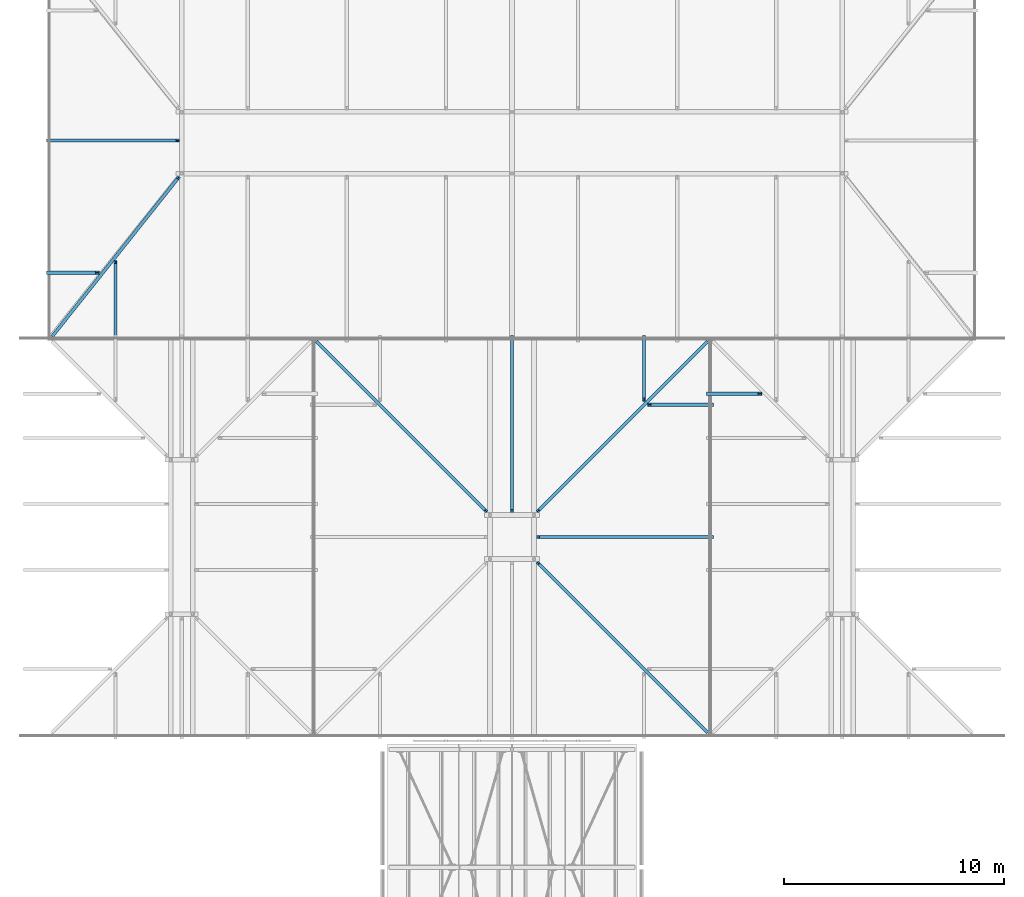
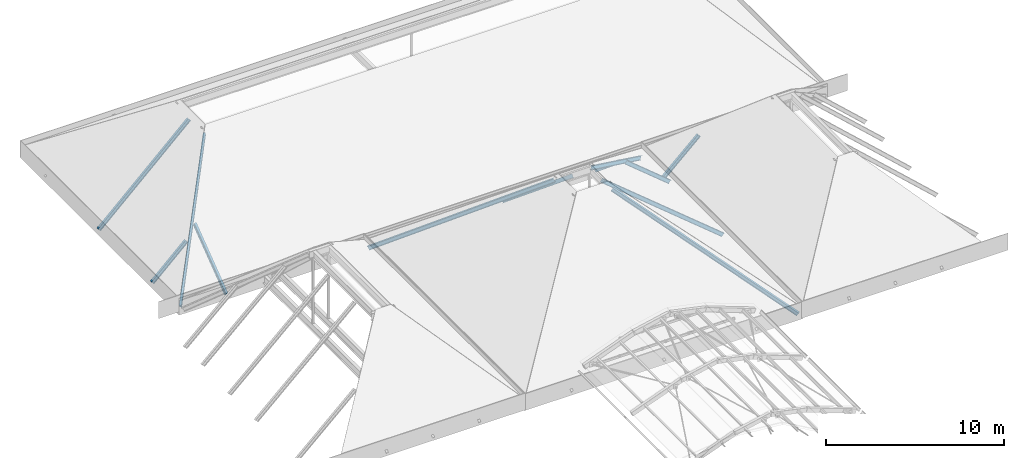
# One storey, part 25 of 57: 12 members.
"""IFC4 building model written with IfcOpenShell, lengths in metres."""

from ifc_helpers import new_model, si_unit, direction, frame, origin, origin_2d, place, context, subcontext, project, spatial, i_section, extrude, material, material_profile, profile_set, type_object, element, save


model = new_model("IFC4")

# Units and contexts
model_context = context("Model", 3, precision=1e-05, world=origin(), true_north=direction((0.0, 1.0)))
body_context = subcontext(model_context, "Body", "Model", "MODEL_VIEW")
ifc_project = project(units=[si_unit("LENGTHUNIT", "METRE"), si_unit("AREAUNIT", "SQUARE_METRE"), si_unit("VOLUMEUNIT", "CUBIC_METRE"), si_unit("PLANEANGLEUNIT", "RADIAN"), si_unit("MASSUNIT", "GRAM", prefix="KILO")], contexts=[model_context])

# Site, building, storey
site_placement = place(None, origin())
site = spatial("IfcSite", under=ifc_project, at=site_placement, CompositionType="ELEMENT")
building_placement = place(site_placement, origin())
building = spatial("IfcBuilding", under=site, at=building_placement, Name="Saffron Lane Theatres", CompositionType="ELEMENT")
storey_placement = place(building_placement, frame((0.0, 0.0, 28.0)))
storey = spatial("IfcBuildingStorey", under=building, at=storey_placement, Name="Upper Roof", CompositionType="ELEMENT", Elevation=28.0)

# Members
ifc_material_1 = material(Name="Steel Grade 350", Category="steel")
ifc_material_profile_1 = material_profile(ifc_material_1, i_section(OverallWidth=0.14599609375, OverallDepth=0.251953125, WebThickness=0.006103515625, FlangeThickness=0.008544921875, FilletRadius=0.011962890625, at=origin_2d()))
ifc_profile_set_1 = profile_set([ifc_material_profile_1], Name="Steel Grade 350")
member_type_1 = type_object("IfcMemberType", Name="ST-HIP RAFTER 250UB31.4", PredefinedType="RAFTER", material=ifc_profile_set_1)
for number, where, z_axis, x_axis, name in (
    (1, (24.1611328125, 107.8388671875, 0.10888671875), (0.60321651649, -0.60321651649, 0.521785078809), (0.707106781187, 0.707106781187, 0.0), "BK2-H2"),
    (2, (41.8388671875, 90.1611328125, 0.10888671875), (-0.60321651649, 0.60321651649, 0.521785078809), (-0.707106781187, -0.707106781187, 0.0), "BK2-H3"),
    (3, (41.8388671875, 107.8388671875, 0.10888671875), (-0.60321651649, -0.60321651649, 0.521785078809), (0.707106781187, -0.707106781187, 0.0), "BK2-H4"),
):
    element("IfcMember", number, at=place(storey_placement, frame(where, z_axis=z_axis, x_axis=x_axis)), inside=storey, type_object=member_type_1, Name=name, PredefinedType="RAFTER", context=body_context, shape_type="SweptSolid", body=[
        extrude(i_section(OverallWidth=0.14599609375, OverallDepth=0.251953125, WebThickness=0.006103515625, FlangeThickness=0.008544921875, FilletRadius=0.011962890625, at=origin_2d()), origin(), (0.0, 0.0, 1.0), 12.678955078125),
    ])
member_1_placement = place(storey_placement, frame((12.1630859375, 108.1630859375, 0.111083984375), z_axis=(0.532711175397, 0.66961694115, 0.517524835861), x_axis=(-0.782566130455, 0.6225674674, 0.0)))
element("IfcMember", 4, at=member_1_placement, inside=storey, type_object=member_type_1, Name="BK4-H1", PredefinedType="RAFTER", context=body_context, shape_type="SweptSolid", body=[
    extrude(i_section(OverallWidth=0.14599609375, OverallDepth=0.251953125, WebThickness=0.006103515625, FlangeThickness=0.008544921875, FilletRadius=0.011962890625, at=origin_2d()), origin(), (0.0, 0.0, 1.0), 10.6748046875),
])
ifc_material_2 = material(Name="Steel Grade 350", Category="steel")
ifc_material_profile_2 = material_profile(ifc_material_2, i_section(OverallWidth=0.14599609375, OverallDepth=0.251953125, WebThickness=0.006103515625, FlangeThickness=0.008544921875, FilletRadius=0.011962890625, at=origin_2d()))
ifc_profile_set_2 = profile_set([ifc_material_profile_2], Name="Steel Grade 350")
member_type_2 = type_object("IfcMemberType", Name="ST-JACK RAFTER 250UB31.4", PredefinedType="RAFTER", material=ifc_profile_set_2)
member_2_placement = place(storey_placement, frame((33.0, 108.080078125, 0.09716796875), z_axis=(0.0, -0.771407475001, 0.636341502271), x_axis=(1.0, 0.0, 0.0)))
element("IfcMember", 5, at=member_2_placement, inside=storey, type_object=member_type_2, Name="BK2-K4", PredefinedType="RAFTER", context=body_context, shape_type="SweptSolid", body=[
    extrude(i_section(OverallWidth=0.14599609375, OverallDepth=0.251953125, WebThickness=0.006103515625, FlangeThickness=0.008544921875, FilletRadius=0.011962890625, at=origin_2d()), origin(), (0.0, 0.0, 1.0), 10.250732421875),
])
member_3_placement = place(storey_placement, frame((39.0, 108.080078125, 0.09716796875), z_axis=(0.0, -0.771369210448, 0.636387885784), x_axis=(1.0, 0.0, 0.0)))
element("IfcMember", 6, at=member_3_placement, inside=storey, type_object=member_type_2, Name="BK2-K6", PredefinedType="RAFTER", context=body_context, shape_type="SweptSolid", body=[
    extrude(i_section(OverallWidth=0.14599609375, OverallDepth=0.251953125, WebThickness=0.006103515625, FlangeThickness=0.008544921875, FilletRadius=0.011962890625, at=origin_2d()), origin(), (0.0, 0.0, 1.0), 3.6826171875),
])
member_4_placement = place(storey_placement, frame((42.080078125, 99.0, 0.09716796875), z_axis=(-0.771407475001, 0.0, 0.636341502271), x_axis=(0.0, -1.0, 0.0)))
element("IfcMember", 7, at=member_4_placement, inside=storey, type_object=member_type_2, Name="BK2-K10", PredefinedType="RAFTER", context=body_context, shape_type="SweptSolid", body=[
    extrude(i_section(OverallWidth=0.14599609375, OverallDepth=0.251953125, WebThickness=0.006103515625, FlangeThickness=0.008544921875, FilletRadius=0.011962890625, at=origin_2d()), origin(), (0.0, 0.0, 1.0), 10.250732421875),
])
member_5_placement = place(storey_placement, frame((42.080078125, 105.0, 0.09716796875), z_axis=(-0.771369210448, 0.0, 0.636387885784), x_axis=(0.0, -1.0, 0.0)))
element("IfcMember", 8, at=member_5_placement, inside=storey, type_object=member_type_2, Name="BK2-K12", PredefinedType="RAFTER", context=body_context, shape_type="SweptSolid", body=[
    extrude(i_section(OverallWidth=0.14599609375, OverallDepth=0.251953125, WebThickness=0.006103515625, FlangeThickness=0.008544921875, FilletRadius=0.011962890625, at=origin_2d()), origin(), (0.0, 0.0, 1.0), 3.6826171875),
])
member_6_placement = place(storey_placement, frame((41.914794921875, 105.5, 0.0927734375), z_axis=(0.735856047482, 0.0, 0.677138004682), x_axis=(0.0, 1.0, 0.0)))
element("IfcMember", 9, at=member_6_placement, inside=storey, type_object=member_type_2, Name="BK3-K15", PredefinedType="RAFTER", context=body_context, shape_type="SweptSolid", body=[
    extrude(i_section(OverallWidth=0.14599609375, OverallDepth=0.251953125, WebThickness=0.006103515625, FlangeThickness=0.008544921875, FilletRadius=0.011962890625, at=origin_2d()), origin(), (0.0, 0.0, 1.0), 3.1806640625),
])
member_7_placement = place(storey_placement, frame((15.0, 107.924072265625, 0.1005859375), z_axis=(0.0, 0.798249719745, 0.602326643049), x_axis=(-1.0, 0.0, 0.0)))
element("IfcMember", 10, at=member_7_placement, inside=storey, type_object=member_type_2, Name="BK4-K1", PredefinedType="RAFTER", context=body_context, shape_type="SweptSolid", body=[
    extrude(i_section(OverallWidth=0.14599609375, OverallDepth=0.251953125, WebThickness=0.006103515625, FlangeThickness=0.008544921875, FilletRadius=0.011962890625, at=origin_2d()), origin(), (0.0, 0.0, 1.0), 4.4609375),
])
member_8_placement = place(storey_placement, frame((11.958984375, 111.0, 0.091552734375), z_axis=(0.727463782398, 0.0, 0.686146081603), x_axis=(0.0, 1.0, 0.0)))
element("IfcMember", 11, at=member_8_placement, inside=storey, type_object=member_type_2, Name="BK4-K17", PredefinedType="RAFTER", context=body_context, shape_type="SweptSolid", body=[
    extrude(i_section(OverallWidth=0.14599609375, OverallDepth=0.251953125, WebThickness=0.006103515625, FlangeThickness=0.008544921875, FilletRadius=0.011962890625, at=origin_2d()), origin(), (0.0, 0.0, 1.0), 3.049072265625),
])
member_9_placement = place(storey_placement, frame((11.958984375, 117.0, 0.091552734375), z_axis=(0.727467551011, 0.0, 0.686142086033), x_axis=(0.0, 1.0, 0.0)))
element("IfcMember", 12, at=member_9_placement, inside=storey, type_object=member_type_2, Name="BK4-K19", PredefinedType="RAFTER", context=body_context, shape_type="SweptSolid", body=[
    extrude(i_section(OverallWidth=0.14599609375, OverallDepth=0.251953125, WebThickness=0.006103515625, FlangeThickness=0.008544921875, FilletRadius=0.011962890625, at=origin_2d()), origin(), (0.0, 0.0, 1.0), 8.05810546875),
])

save(model, "model.ifc")
